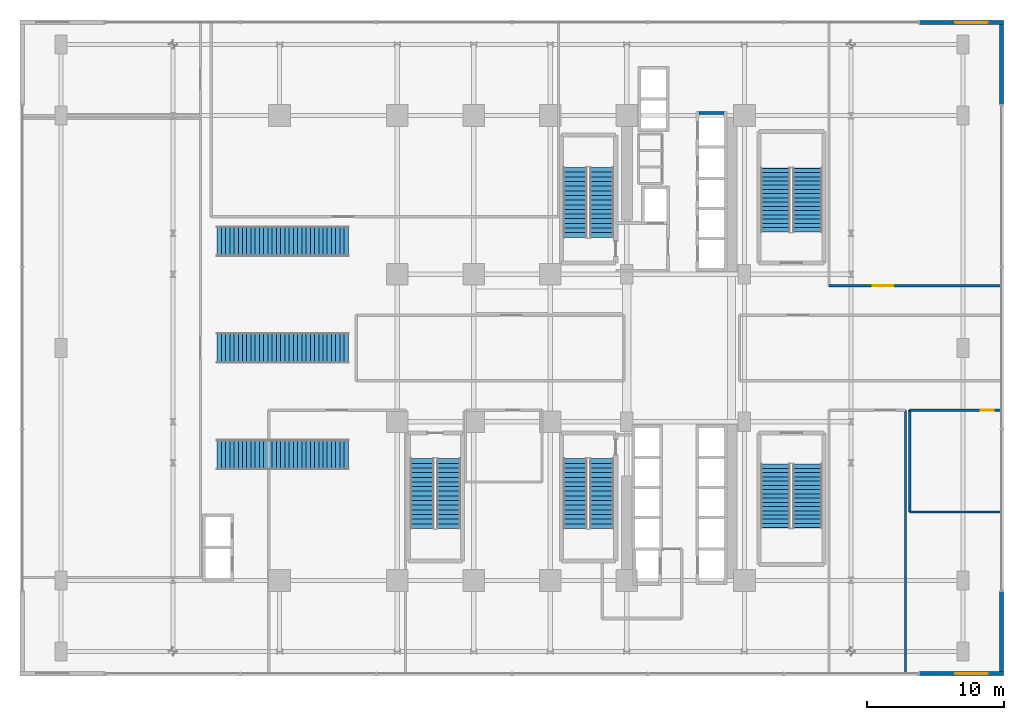
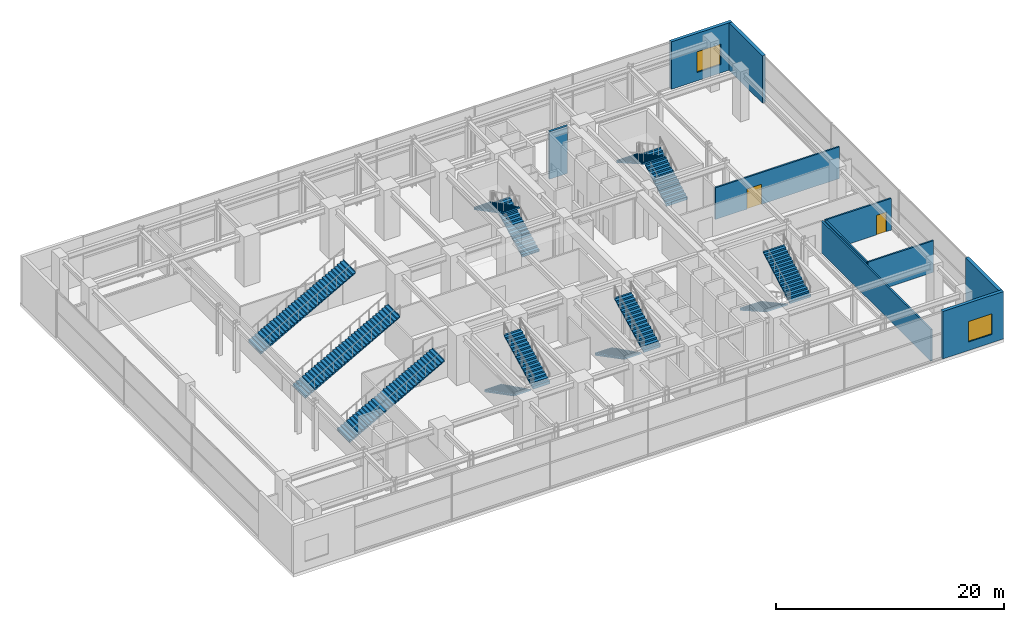
# One storey, part 30 of 34: 13 stair flights, 10 walls, 2 doors, 2 windows, 4 openings, 8 elements without a shape of their own.
"""IFC4 building model written with IfcOpenShell, lengths in metres."""

from ifc_helpers import new_model, si_unit, direction, frame, frame_2d, origin, place, context, subcontext, project, spatial, polyline, rectangle, outline, extrude, source, transform, mapped, material, layer, layer_set, type_object, element, fill, aggregate, save


model = new_model("IFC4")

# Units and contexts
model_context = context("Model", 3, precision=1e-05, world=origin(), true_north=direction((0.0, 1.0)))
body_context = subcontext(model_context, "Body", "Model", "MODEL_VIEW")
ifc_project = project(units=[si_unit("LENGTHUNIT", "METRE"), si_unit("AREAUNIT", "SQUARE_METRE"), si_unit("VOLUMEUNIT", "CUBIC_METRE"), si_unit("PLANEANGLEUNIT", "RADIAN"), si_unit("MASSUNIT", "GRAM", prefix="KILO")], contexts=[model_context])

# Site, building, storey
site_placement = place(None, origin())
site = spatial("IfcSite", under=ifc_project, at=site_placement, CompositionType="ELEMENT")
building_placement = place(site_placement, origin())
building = spatial("IfcBuilding", under=site, at=building_placement, Name="Nahalor Promenade Grand Hotel", CompositionType="ELEMENT")
storey_placement = place(building_placement, frame((0.0, 0.0, 16.199951171875)))
storey = spatial("IfcBuildingStorey", under=building, at=storey_placement, Name="L03", CompositionType="ELEMENT", Elevation=16.199951171875)

# Wall
ifc_material_1 = material(Name="Concrete B-50 (C40/50)", Category="concrete")
ifc_layer_1 = layer(ifc_material_1, 0.219970703125)
ifc_layer_set_1 = layer_set([ifc_layer_1], Name="Concrete B-50 (C40/50)")
wall_type_1 = type_object("IfcWallType", Name="Wall-LiftShaft-220", PredefinedType="SHEAR", material=ifc_layer_set_1)
shared_shape_1 = source(origin(), body_context, "Body", "SweptSolid", [
    extrude(rectangle(XDim=1.820068359375, YDim=0.219970703125, at=frame_2d((0.91015625, 0.0))), origin(), (0.0, 0.0, 1.0), 5.080078125),
])
wall_1_placement = place(storey_placement, frame((13.68994140625, 17.199951171875, 0.0), z_axis=(0.0, 0.0, 1.0), x_axis=(1.0, 0.0, 0.0)))
element("IfcWall", 1, at=wall_1_placement, inside=storey, type_object=wall_type_1, Name="L03 Lift SV1 Hoistway Wall N", PredefinedType="SHEAR", context=body_context, shape_type="MappedRepresentation", body=[
    mapped(shared_shape_1, transform((0.0, 0.0, 0.0), scale=1.0)),
])

# Wall, opening, window
ifc_material_2 = material(Name="Concrete B-40 (C32/40)", Category="concrete")
ifc_layer_2 = layer(ifc_material_2, 0.320068359375)
ifc_layer_set_2 = layer_set([ifc_layer_2], Name="Concrete B-40 (C32/40)")
wall_type_2 = type_object("IfcWallType", Name="Wall-LimestonePier-320", PredefinedType="STANDARD", material=ifc_layer_set_2)
shared_shape_2 = source(origin(), body_context, "Body", "SweptSolid", [
    extrude(rectangle(XDim=6.159912109375, YDim=0.320068359375, at=frame_2d((3.080078125, 0.0))), origin(), (0.0, 0.0, 1.0), 5.080078125),
])
wall_2_placement = place(storey_placement, frame((29.820068359375, -23.820068359375, 0.0), z_axis=(0.0, 0.0, 1.0), x_axis=(1.0, 0.0, 0.0)))
wall_2 = element("IfcWall", 2, at=wall_2_placement, inside=storey, type_object=wall_type_2, Name="W-L03-CRN-SE-X", PredefinedType="STANDARD", context=body_context, shape_type="MappedRepresentation", body=[
    mapped(shared_shape_2, transform((0.0, 0.0, 0.0), scale=1.0)),
])
opening_1_placement = place(wall_2_placement, frame((2.60009765625, 0.0, 0.89990234375)))
opening_1 = element("IfcOpeningElement", 3, at=opening_1_placement, cuts=wall_2, Name="Opening WN-02", PredefinedType="OPENING", context=body_context, shape_type="SweptSolid", body=[
    extrude(rectangle(XDim=2.39990234375, YDim=2.199951171875, at=frame_2d((1.199951171875, 1.10009765625))), frame((0.0, 0.169921875, 0.0), z_axis=(0.0, -1.0, 0.0), x_axis=(1.0, 0.0, 0.0)), (0.0, 0.0, 1.0), 0.340087890625),
])
ifc_material_3 = material(Name="Low-E Laminated Solar Glass", Category="glass")
window_type = type_object("IfcWindowType", Name="Win-PodiumArch-2400x2200", PartitioningType="SINGLE_PANEL", PredefinedType="WINDOW", material=ifc_material_3)
shared_shape_3 = source(origin(), body_context, "Body", "SweptSolid", [
    extrude(rectangle(XDim=2.39990234375, YDim=2.199951171875, at=frame_2d((1.199951171875, 1.10009765625))), frame((0.0, 0.030029296875, 0.0), z_axis=(0.0, -1.0, 0.0), x_axis=(1.0, 0.0, 0.0)), (0.0, 0.0, 1.0), 0.06005859375),
])
window_1_placement = place(opening_1_placement, origin())
window_1 = element("IfcWindow", 4, at=window_1_placement, inside=storey, type_object=window_type, Name="WN-L03-SE-X", OverallHeight=2.199951171875, OverallWidth=2.39990234375, PartitioningType="SINGLE_PANEL", PredefinedType="WINDOW", context=body_context, shape_type="MappedRepresentation", body=[
    mapped(shared_shape_3, transform((0.0, 0.0, 0.0), scale=1.0)),
])
fill(opening_1, window_1)

wall_3_placement = place(storey_placement, frame((29.820068359375, 23.820068359375, 0.0), z_axis=(0.0, 0.0, 1.0), x_axis=(1.0, 0.0, 0.0)))
wall_3 = element("IfcWall", 5, at=wall_3_placement, inside=storey, type_object=wall_type_2, Name="W-L03-CRN-NE-X", PredefinedType="STANDARD", context=body_context, shape_type="MappedRepresentation", body=[
    mapped(shared_shape_2, transform((0.0, 0.0, 0.0), scale=1.0)),
])
opening_2_placement = place(wall_3_placement, frame((2.60009765625, 0.0, 0.89990234375)))
opening_2 = element("IfcOpeningElement", 6, at=opening_2_placement, cuts=wall_3, Name="Opening WN-02", PredefinedType="OPENING", context=body_context, shape_type="SweptSolid", body=[
    extrude(rectangle(XDim=2.39990234375, YDim=2.199951171875, at=frame_2d((1.199951171875, 1.10009765625))), frame((0.0, 0.169921875, 0.0), z_axis=(0.0, -1.0, 0.0), x_axis=(1.0, 0.0, 0.0)), (0.0, 0.0, 1.0), 0.340087890625),
])
window_2_placement = place(opening_2_placement, origin())
window_2 = element("IfcWindow", 7, at=window_2_placement, inside=storey, type_object=window_type, Name="WN-L03-NE-X", OverallHeight=2.199951171875, OverallWidth=2.39990234375, PartitioningType="SINGLE_PANEL", PredefinedType="WINDOW", context=body_context, shape_type="MappedRepresentation", body=[
    mapped(shared_shape_3, transform((0.0, 0.0, 0.0), scale=1.0)),
])
fill(opening_2, window_2)

# Walls
shared_shape_4 = source(origin(), body_context, "Body", "SweptSolid", [
    extrude(rectangle(XDim=5.83984375, YDim=0.320068359375, at=frame_2d((2.919921875, 0.0))), origin(), (0.0, 0.0, 1.0), 5.080078125),
])
for number, where, z_axis, x_axis, name in (
    (8, (35.820068359375, -23.659912109375, 0.0), (0.0, 0.0, 1.0), (0.0, 1.0, 0.0), "W-L03-CRN-SE-Y"),
    (9, (35.820068359375, 17.820068359375, 0.0), (0.0, 0.0, 1.0), (0.0, 1.0, 0.0), "W-L03-CRN-NE-Y"),
):
    element("IfcWall", number, at=place(storey_placement, frame(where, z_axis=z_axis, x_axis=x_axis)), inside=storey, type_object=wall_type_2, Name=name, PredefinedType="STANDARD", context=body_context, shape_type="MappedRepresentation", body=[
        mapped(shared_shape_4, transform((0.0, 0.0, 0.0), scale=1.0)),
    ])
ifc_material_4 = material(Name="Acoustic Mineral Gypsum", Category="gypsum")
ifc_layer_3 = layer(ifc_material_4, 0.159912109375)
ifc_layer_set_3 = layer_set([ifc_layer_3], Name="Acoustic Mineral Gypsum")
wall_type_3 = type_object("IfcWallType", Name="Wall-PartCorridor-160", PredefinedType="PARTITIONING", material=ifc_layer_set_3)
shared_shape_5 = source(origin(), body_context, "Body", "SweptSolid", [
    extrude(rectangle(XDim=19.2099609375, YDim=0.159912109375, at=frame_2d((9.60498046875, 0.0))), origin(), (0.0, 0.0, 1.0), 3.400146484375),
])
wall_4_placement = place(storey_placement, frame((28.800048828125, -23.760009765625, 0.0), z_axis=(0.0, 0.0, 1.0), x_axis=(0.0, 1.0, 0.0)))
element("IfcWall", 10, at=wall_4_placement, inside=storey, type_object=wall_type_3, Name="W-L03-PR08-E", PredefinedType="PARTITIONING", context=body_context, shape_type="MappedRepresentation", body=[
    mapped(shared_shape_5, transform((0.0, 0.0, 0.0), scale=1.0)),
])

# Wall, opening, door
shared_shape_6 = source(origin(), body_context, "Body", "SweptSolid", [
    extrude(rectangle(XDim=12.56005859375, YDim=0.159912109375, at=frame_2d((6.280029296875, 0.0))), origin(), (0.0, 0.0, 1.0), 3.400146484375),
])
wall_5_placement = place(storey_placement, frame((23.199951171875, 4.550048828125, 0.0), z_axis=(0.0, 0.0, 1.0), x_axis=(1.0, 0.0, 0.0)))
wall_5 = element("IfcWall", 11, at=wall_5_placement, inside=storey, type_object=wall_type_3, Name="W-L03-PR04-S", PredefinedType="PARTITIONING", context=body_context, shape_type="MappedRepresentation", body=[
    mapped(shared_shape_6, transform((0.0, 0.0, 0.0), scale=1.0)),
])
opening_3_placement = place(wall_5_placement, frame((3.181884765625, 0.0, 0.0)))
opening_3 = element("IfcOpeningElement", 12, at=opening_3_placement, cuts=wall_5, Name="Opening D-02", PredefinedType="OPENING", context=body_context, shape_type="SweptSolid", body=[
    extrude(rectangle(XDim=1.5, YDim=2.14990234375, at=frame_2d((0.75, 1.074951171875))), frame((0.0, 0.08984375, 0.0), z_axis=(0.0, -1.0, 0.0), x_axis=(1.0, 0.0, 0.0)), (0.0, 0.0, 1.0), 0.179931640625),
])
ifc_material_5 = material(Name="Fire-Rated Timber Composite", Category="wood")
door_type_1 = type_object("IfcDoorType", Name="Door-SuiteDouble-1500", OperationType="DOUBLE_DOOR_SINGLE_SWING", PredefinedType="DOOR", material=ifc_material_5)
shared_shape_7 = source(origin(), body_context, "Body", "SweptSolid", [
    extrude(rectangle(XDim=1.5, YDim=2.14990234375, at=frame_2d((0.75, 1.074951171875))), frame((0.0, 0.02490234375, 0.0), z_axis=(0.0, -1.0, 0.0), x_axis=(1.0, 0.0, 0.0)), (0.0, 0.0, 1.0), 0.050048828125),
])
door_1_placement = place(opening_3_placement, origin())
door_1 = element("IfcDoor", 13, at=door_1_placement, inside=storey, type_object=door_type_1, Name="DR-L03-PR04", OperationType="DOUBLE_DOOR_SINGLE_SWING", OverallHeight=2.14990234375, OverallWidth=1.5, PredefinedType="DOOR", context=body_context, shape_type="MappedRepresentation", body=[
    mapped(shared_shape_7, transform((0.0, 0.0, 0.0), scale=1.0)),
])
fill(opening_3, door_1)

# Wall
shared_shape_8 = source(origin(), body_context, "Body", "SweptSolid", [
    extrude(rectangle(XDim=6.659912109375, YDim=0.159912109375, at=frame_2d((3.330078125, 0.0))), origin(), (0.0, 0.0, 1.0), 3.400146484375),
])
wall_6_placement = place(storey_placement, frame((29.10009765625, -12.0, 0.0), z_axis=(0.0, 0.0, 1.0), x_axis=(1.0, 0.0, 0.0)))
element("IfcWall", 14, at=wall_6_placement, inside=storey, type_object=wall_type_3, Name="W-L03-PR09-S", PredefinedType="PARTITIONING", context=body_context, shape_type="MappedRepresentation", body=[
    mapped(shared_shape_8, transform((0.0, 0.0, 0.0), scale=1.0)),
])

# Wall, opening, door
wall_7_placement = place(storey_placement, frame((29.10009765625, -4.550048828125, 0.0), z_axis=(0.0, 0.0, 1.0), x_axis=(1.0, 0.0, 0.0)))
wall_7 = element("IfcWall", 15, at=wall_7_placement, inside=storey, type_object=wall_type_3, Name="W-L03-PR09-N", PredefinedType="PARTITIONING", context=body_context, shape_type="MappedRepresentation", body=[
    mapped(shared_shape_8, transform((0.0, 0.0, 0.0), scale=1.0)),
])
opening_4_placement = place(wall_7_placement, frame((5.18310546875, 0.0, 0.0)))
opening_4 = element("IfcOpeningElement", 16, at=opening_4_placement, cuts=wall_7, Name="Opening D-05", PredefinedType="OPENING", context=body_context, shape_type="SweptSolid", body=[
    extrude(rectangle(XDim=0.97998046875, YDim=2.10009765625, at=frame_2d((0.489990234375, 1.050048828125))), frame((0.0, 0.08984375, 0.0), z_axis=(0.0, -1.0, 0.0), x_axis=(1.0, 0.0, 0.0)), (0.0, 0.0, 1.0), 0.179931640625),
])
door_type_2 = type_object("IfcDoorType", Name="Door-AccessibleWC-980", OperationType="NOTDEFINED", PredefinedType="DOOR", material=ifc_material_5)
shared_shape_9 = source(origin(), body_context, "Body", "SweptSolid", [
    extrude(rectangle(XDim=0.97998046875, YDim=2.10009765625, at=frame_2d((0.489990234375, 1.050048828125))), frame((0.0, 0.02490234375, 0.0), z_axis=(0.0, -1.0, 0.0), x_axis=(1.0, 0.0, 0.0)), (0.0, 0.0, 1.0), 0.050048828125),
])
door_2_placement = place(opening_4_placement, frame((0.97998046875, 0.0, 0.0), z_axis=(0.0, 0.0, 1.0), x_axis=(-1.0, 0.0, 0.0)))
door_2 = element("IfcDoor", 17, at=door_2_placement, inside=storey, type_object=door_type_2, Name="DR-L03-PR09", OperationType="SINGLE_SWING_LEFT", OverallHeight=2.10009765625, OverallWidth=0.97998046875, PredefinedType="DOOR", context=body_context, shape_type="MappedRepresentation", body=[
    mapped(shared_shape_9, transform((0.0, 0.0, 0.0), scale=1.0)),
])
fill(opening_4, door_2)

# Wall
shared_shape_10 = source(origin(), body_context, "Body", "SweptSolid", [
    extrude(rectangle(XDim=7.449951171875, YDim=0.159912109375, at=frame_2d((3.72509765625, 0.0))), origin(), (0.0, 0.0, 1.0), 3.400146484375),
])
wall_8_placement = place(storey_placement, frame((29.10009765625, -12.0, 0.0), z_axis=(0.0, 0.0, 1.0), x_axis=(0.0, 1.0, 0.0)))
element("IfcWall", 18, at=wall_8_placement, inside=storey, type_object=wall_type_3, Name="W-L03-PR09-W", PredefinedType="PARTITIONING", context=body_context, shape_type="MappedRepresentation", body=[
    mapped(shared_shape_10, transform((0.0, 0.0, 0.0), scale=1.0)),
])

# Stair, stair flights
stair_type_1 = type_object("IfcStairType", Name="Stair-ST1", PredefinedType="HALF_TURN_STAIR", material=ifc_material_1)
stair_1_placement = place(storey_placement, origin())
stair_1 = element("IfcStair", 19, at=stair_1_placement, inside=storey, type_object=stair_type_1, Name="L03 ST1", PredefinedType="HALF_TURN_STAIR")
ifc_layer_4 = layer(ifc_material_1, 0.179931640625)
ifc_layer_set_4 = layer_set([ifc_layer_4], Name="Concrete B-50 (C40/50)")
stair_flight_type_1 = type_object("IfcStairFlightType", Name="Flight-ST1", PredefinedType="STRAIGHT", material=ifc_layer_set_4)
shared_shape_11 = source(origin(), body_context, "Body", "SweptSolid", [
    extrude(outline(polyline([(-0.00390625, -0.1201171875), (-0.00390625, 0.0), (0.0, 0.0), (0.0, 0.168701171875), (0.340087890625, 0.168701171875), (0.340087890625, 0.33740234375), (0.679931640625, 0.33740234375), (0.679931640625, 0.50634765625), (1.02001953125, 0.50634765625), (1.02001953125, 0.675048828125), (1.360107421875, 0.675048828125), (1.360107421875, 0.84375), (1.699951171875, 0.84375), (1.699951171875, 1.012451171875), (2.0400390625, 1.012451171875), (2.0400390625, 1.18115234375), (2.3798828125, 1.18115234375), (2.3798828125, 1.35009765625), (2.719970703125, 1.35009765625), (2.719970703125, 1.518798828125), (3.06005859375, 1.518798828125), (3.06005859375, 1.6875), (3.39990234375, 1.6875), (3.39990234375, 1.856201171875), (3.739990234375, 1.856201171875), (3.739990234375, 2.02490234375), (4.080078125, 2.02490234375), (4.080078125, 2.19384765625), (4.419921875, 2.19384765625), (4.419921875, 2.362548828125), (4.760009765625, 2.362548828125), (4.760009765625, 2.53125), (5.10009765625, 2.53125), (5.10009765625, 2.699951171875), (5.10400390625, 2.699951171875), (5.10400390625, 2.52001953125), (0.02001953125, -0.1201171875), (-0.00390625, -0.1201171875)])), frame((0.0, 0.875, 0.0), z_axis=(0.0, -1.0, 0.0), x_axis=(1.0, 0.0, 0.0)), (0.0, 0.0, 1.0), 1.75),
])
stair_flight_1_placement = place(storey_placement, frame((6.574951171875, 8.10009765625, 0.0), z_axis=(0.0, 0.0, 1.0), x_axis=(0.0, 1.0, 0.0)))
stair_flight_1 = element("IfcStairFlight", 20, at=stair_flight_1_placement, type_object=stair_flight_type_1, Name="ST1 flight 1", NumberOfRisers=16, NumberOfTreads=15, PredefinedType="STRAIGHT", RiserHeight=0.16875, TreadLength=0.34, context=body_context, shape_type="MappedRepresentation", body=[
    mapped(shared_shape_11, transform((0.0, 0.0, 0.0), scale=1.0)),
])
stair_flight_2_placement = place(storey_placement, frame((4.625, 13.199951171875, 2.699951171875), z_axis=(0.0, 0.0, 1.0), x_axis=(0.0, -1.0, 0.0)))
stair_flight_2 = element("IfcStairFlight", 21, at=stair_flight_2_placement, type_object=stair_flight_type_1, Name="ST1 flight 2", NumberOfRisers=16, NumberOfTreads=15, PredefinedType="STRAIGHT", RiserHeight=0.16875, TreadLength=0.34, context=body_context, shape_type="MappedRepresentation", body=[
    mapped(shared_shape_11, transform((0.0, 0.0, 0.0), scale=1.0)),
])
aggregate(stair_1, [stair_flight_1, stair_flight_2])

stair_type_2 = type_object("IfcStairType", Name="Stair-ST2", PredefinedType="HALF_TURN_STAIR", material=ifc_material_1)
stair_2_placement = place(storey_placement, origin())
stair_2 = element("IfcStair", 22, at=stair_2_placement, inside=storey, type_object=stair_type_2, Name="L03 ST2", PredefinedType="HALF_TURN_STAIR")
ifc_layer_5 = layer(ifc_material_1, 0.18994140625)
ifc_layer_set_5 = layer_set([ifc_layer_5], Name="Concrete B-50 (C40/50)")
stair_flight_type_2 = type_object("IfcStairFlightType", Name="Flight-ST2", PredefinedType="STRAIGHT", material=ifc_layer_set_5)
shared_shape_12 = source(origin(), body_context, "Body", "SweptSolid", [
    extrude(outline(polyline([(-0.00390625, -0.1201171875), (-0.00390625, 0.0), (0.0, 0.0), (0.0, 0.168701171875), (0.340087890625, 0.168701171875), (0.340087890625, 0.33740234375), (0.679931640625, 0.33740234375), (0.679931640625, 0.50634765625), (1.02001953125, 0.50634765625), (1.02001953125, 0.675048828125), (1.360107421875, 0.675048828125), (1.360107421875, 0.84375), (1.699951171875, 0.84375), (1.699951171875, 1.012451171875), (2.0400390625, 1.012451171875), (2.0400390625, 1.18115234375), (2.3798828125, 1.18115234375), (2.3798828125, 1.35009765625), (2.719970703125, 1.35009765625), (2.719970703125, 1.518798828125), (3.06005859375, 1.518798828125), (3.06005859375, 1.6875), (3.39990234375, 1.6875), (3.39990234375, 1.856201171875), (3.739990234375, 1.856201171875), (3.739990234375, 2.02490234375), (4.080078125, 2.02490234375), (4.080078125, 2.19384765625), (4.419921875, 2.19384765625), (4.419921875, 2.362548828125), (4.760009765625, 2.362548828125), (4.760009765625, 2.53125), (5.10009765625, 2.53125), (5.10009765625, 2.699951171875), (5.10400390625, 2.699951171875), (5.10400390625, 2.52001953125), (0.02001953125, -0.1201171875), (-0.00390625, -0.1201171875)])), frame((0.0, 0.875, 0.0), z_axis=(0.0, -1.0, 0.0), x_axis=(1.0, 0.0, 0.0)), (0.0, 0.0, 1.0), 1.75),
])
stair_flight_3_placement = place(storey_placement, frame((4.625, -8.10009765625, 0.0), z_axis=(0.0, 0.0, 1.0), x_axis=(0.0, -1.0, 0.0)))
stair_flight_3 = element("IfcStairFlight", 23, at=stair_flight_3_placement, type_object=stair_flight_type_2, Name="ST2 flight 1", NumberOfRisers=16, NumberOfTreads=15, PredefinedType="STRAIGHT", RiserHeight=0.16875, TreadLength=0.34, context=body_context, shape_type="MappedRepresentation", body=[
    mapped(shared_shape_12, transform((0.0, 0.0, 0.0), scale=1.0)),
])
stair_flight_4_placement = place(storey_placement, frame((6.574951171875, -13.199951171875, 2.699951171875), z_axis=(0.0, 0.0, 1.0), x_axis=(0.0, 1.0, 0.0)))
stair_flight_4 = element("IfcStairFlight", 24, at=stair_flight_4_placement, type_object=stair_flight_type_2, Name="ST2 flight 2", NumberOfRisers=16, NumberOfTreads=15, PredefinedType="STRAIGHT", RiserHeight=0.16875, TreadLength=0.34, context=body_context, shape_type="MappedRepresentation", body=[
    mapped(shared_shape_12, transform((0.0, 0.0, 0.0), scale=1.0)),
])
aggregate(stair_2, [stair_flight_3, stair_flight_4])

stair_type_3 = type_object("IfcStairType", Name="Stair-ST3", PredefinedType="HALF_TURN_STAIR", material=ifc_material_1)
stair_3_placement = place(storey_placement, origin())
stair_3 = element("IfcStair", 25, at=stair_3_placement, inside=storey, type_object=stair_type_3, Name="L03 ST3", PredefinedType="HALF_TURN_STAIR")
ifc_layer_6 = layer(ifc_material_1, 0.199951171875)
ifc_layer_set_6 = layer_set([ifc_layer_6], Name="Concrete B-50 (C40/50)")
stair_flight_type_3 = type_object("IfcStairFlightType", Name="Flight-ST3", PredefinedType="STRAIGHT", material=ifc_layer_set_6)
shared_shape_13 = source(origin(), body_context, "Body", "SweptSolid", [
    extrude(outline(polyline([(-0.00390625, -0.1201171875), (-0.00390625, 0.0), (0.0, 0.0), (0.0, 0.168701171875), (0.340087890625, 0.168701171875), (0.340087890625, 0.33740234375), (0.679931640625, 0.33740234375), (0.679931640625, 0.50634765625), (1.02001953125, 0.50634765625), (1.02001953125, 0.675048828125), (1.360107421875, 0.675048828125), (1.360107421875, 0.84375), (1.699951171875, 0.84375), (1.699951171875, 1.012451171875), (2.0400390625, 1.012451171875), (2.0400390625, 1.18115234375), (2.3798828125, 1.18115234375), (2.3798828125, 1.35009765625), (2.719970703125, 1.35009765625), (2.719970703125, 1.518798828125), (3.06005859375, 1.518798828125), (3.06005859375, 1.6875), (3.39990234375, 1.6875), (3.39990234375, 1.856201171875), (3.739990234375, 1.856201171875), (3.739990234375, 2.02490234375), (4.080078125, 2.02490234375), (4.080078125, 2.19384765625), (4.419921875, 2.19384765625), (4.419921875, 2.362548828125), (4.760009765625, 2.362548828125), (4.760009765625, 2.53125), (5.10009765625, 2.53125), (5.10009765625, 2.699951171875), (5.10400390625, 2.699951171875), (5.10400390625, 2.52001953125), (0.02001953125, -0.1201171875), (-0.00390625, -0.1201171875)])), frame((0.0, 0.875, 0.0), z_axis=(0.0, -1.0, 0.0), x_axis=(1.0, 0.0, 0.0)), (0.0, 0.0, 1.0), 1.75),
])
stair_flight_5_placement = place(storey_placement, frame((-6.574951171875, -8.10009765625, 0.0), z_axis=(0.0, 0.0, 1.0), x_axis=(0.0, -1.0, 0.0)))
stair_flight_5 = element("IfcStairFlight", 26, at=stair_flight_5_placement, type_object=stair_flight_type_3, Name="ST3 flight 1", NumberOfRisers=16, NumberOfTreads=15, PredefinedType="STRAIGHT", RiserHeight=0.16875, TreadLength=0.34, context=body_context, shape_type="MappedRepresentation", body=[
    mapped(shared_shape_13, transform((0.0, 0.0, 0.0), scale=1.0)),
])
stair_flight_6_placement = place(storey_placement, frame((-4.625, -13.199951171875, 2.699951171875), z_axis=(0.0, 0.0, 1.0), x_axis=(0.0, 1.0, 0.0)))
stair_flight_6 = element("IfcStairFlight", 27, at=stair_flight_6_placement, type_object=stair_flight_type_3, Name="ST3 flight 2", NumberOfRisers=16, NumberOfTreads=15, PredefinedType="STRAIGHT", RiserHeight=0.16875, TreadLength=0.34, context=body_context, shape_type="MappedRepresentation", body=[
    mapped(shared_shape_13, transform((0.0, 0.0, 0.0), scale=1.0)),
])
aggregate(stair_3, [stair_flight_5, stair_flight_6])

stair_type_4 = type_object("IfcStairType", Name="Stair-ST4", PredefinedType="HALF_TURN_STAIR", material=ifc_material_1)
stair_4_placement = place(storey_placement, origin())
stair_4 = element("IfcStair", 28, at=stair_4_placement, inside=storey, type_object=stair_type_4, Name="L03 ST4", PredefinedType="HALF_TURN_STAIR")
ifc_layer_7 = layer(ifc_material_1, 0.2099609375)
ifc_layer_set_7 = layer_set([ifc_layer_7], Name="Concrete B-50 (C40/50)")
stair_flight_type_4 = type_object("IfcStairFlightType", Name="Flight-ST4", PredefinedType="STRAIGHT", material=ifc_layer_set_7)
shared_shape_14 = source(origin(), body_context, "Body", "SweptSolid", [
    extrude(outline(polyline([(-0.00390625, -0.1201171875), (-0.00390625, 0.0), (0.0, 0.0), (0.0, 0.168701171875), (0.31005859375, 0.168701171875), (0.31005859375, 0.33740234375), (0.6201171875, 0.33740234375), (0.6201171875, 0.50634765625), (0.929931640625, 0.50634765625), (0.929931640625, 0.675048828125), (1.239990234375, 0.675048828125), (1.239990234375, 0.84375), (1.550048828125, 0.84375), (1.550048828125, 1.012451171875), (1.860107421875, 1.012451171875), (1.860107421875, 1.18115234375), (2.169921875, 1.18115234375), (2.169921875, 1.35009765625), (2.47998046875, 1.35009765625), (2.47998046875, 1.518798828125), (2.7900390625, 1.518798828125), (2.7900390625, 1.6875), (3.10009765625, 1.6875), (3.10009765625, 1.856201171875), (3.409912109375, 1.856201171875), (3.409912109375, 2.02490234375), (3.719970703125, 2.02490234375), (3.719970703125, 2.19384765625), (4.030029296875, 2.19384765625), (4.030029296875, 2.362548828125), (4.340087890625, 2.362548828125), (4.340087890625, 2.53125), (4.64990234375, 2.53125), (4.64990234375, 2.699951171875), (4.654052734375, 2.699951171875), (4.654052734375, 2.52001953125), (0.02001953125, -0.1201171875), (-0.00390625, -0.1201171875)])), frame((0.0, 1.074951171875, 0.0), z_axis=(0.0, -1.0, 0.0), x_axis=(1.0, 0.0, 0.0)), (0.0, 0.0, 1.0), 2.14990234375),
])
stair_flight_7_placement = place(storey_placement, frame((21.625, 8.5, 0.0), z_axis=(0.0, 0.0, 1.0), x_axis=(0.0, 1.0, 0.0)))
stair_flight_7 = element("IfcStairFlight", 29, at=stair_flight_7_placement, type_object=stair_flight_type_4, Name="ST4 flight 1", NumberOfRisers=16, NumberOfTreads=15, PredefinedType="STRAIGHT", RiserHeight=0.16875, TreadLength=0.31, context=body_context, shape_type="MappedRepresentation", body=[
    mapped(shared_shape_14, transform((0.0, 0.0, 0.0), scale=1.0)),
])
stair_flight_8_placement = place(storey_placement, frame((19.27490234375, 13.14990234375, 2.699951171875), z_axis=(0.0, 0.0, 1.0), x_axis=(0.0, -1.0, 0.0)))
stair_flight_8 = element("IfcStairFlight", 30, at=stair_flight_8_placement, type_object=stair_flight_type_4, Name="ST4 flight 2", NumberOfRisers=16, NumberOfTreads=15, PredefinedType="STRAIGHT", RiserHeight=0.16875, TreadLength=0.31, context=body_context, shape_type="MappedRepresentation", body=[
    mapped(shared_shape_14, transform((0.0, 0.0, 0.0), scale=1.0)),
])
aggregate(stair_4, [stair_flight_7, stair_flight_8])

stair_type_5 = type_object("IfcStairType", Name="Stair-ST5", PredefinedType="HALF_TURN_STAIR", material=ifc_material_1)
stair_5_placement = place(storey_placement, origin())
stair_5 = element("IfcStair", 31, at=stair_5_placement, inside=storey, type_object=stair_type_5, Name="L03 ST5", PredefinedType="HALF_TURN_STAIR")
ifc_layer_8 = layer(ifc_material_1, 0.219970703125)
ifc_layer_set_8 = layer_set([ifc_layer_8], Name="Concrete B-50 (C40/50)")
stair_flight_type_5 = type_object("IfcStairFlightType", Name="Flight-ST5", PredefinedType="STRAIGHT", material=ifc_layer_set_8)
shared_shape_15 = source(origin(), body_context, "Body", "SweptSolid", [
    extrude(outline(polyline([(-0.00390625, -0.1201171875), (-0.00390625, 0.0), (0.0, 0.0), (0.0, 0.168701171875), (0.31005859375, 0.168701171875), (0.31005859375, 0.33740234375), (0.6201171875, 0.33740234375), (0.6201171875, 0.50634765625), (0.929931640625, 0.50634765625), (0.929931640625, 0.675048828125), (1.239990234375, 0.675048828125), (1.239990234375, 0.84375), (1.550048828125, 0.84375), (1.550048828125, 1.012451171875), (1.860107421875, 1.012451171875), (1.860107421875, 1.18115234375), (2.169921875, 1.18115234375), (2.169921875, 1.35009765625), (2.47998046875, 1.35009765625), (2.47998046875, 1.518798828125), (2.7900390625, 1.518798828125), (2.7900390625, 1.6875), (3.10009765625, 1.6875), (3.10009765625, 1.856201171875), (3.409912109375, 1.856201171875), (3.409912109375, 2.02490234375), (3.719970703125, 2.02490234375), (3.719970703125, 2.19384765625), (4.030029296875, 2.19384765625), (4.030029296875, 2.362548828125), (4.340087890625, 2.362548828125), (4.340087890625, 2.53125), (4.64990234375, 2.53125), (4.64990234375, 2.699951171875), (4.654052734375, 2.699951171875), (4.654052734375, 2.52001953125), (0.02001953125, -0.1201171875), (-0.00390625, -0.1201171875)])), frame((0.0, 1.074951171875, 0.0), z_axis=(0.0, -1.0, 0.0), x_axis=(1.0, 0.0, 0.0)), (0.0, 0.0, 1.0), 2.14990234375),
])
stair_flight_9_placement = place(storey_placement, frame((19.27490234375, -8.5, 0.0), z_axis=(0.0, 0.0, 1.0), x_axis=(0.0, -1.0, 0.0)))
stair_flight_9 = element("IfcStairFlight", 32, at=stair_flight_9_placement, type_object=stair_flight_type_5, Name="ST5 flight 1", NumberOfRisers=16, NumberOfTreads=15, PredefinedType="STRAIGHT", RiserHeight=0.16875, TreadLength=0.31, context=body_context, shape_type="MappedRepresentation", body=[
    mapped(shared_shape_15, transform((0.0, 0.0, 0.0), scale=1.0)),
])
stair_flight_10_placement = place(storey_placement, frame((21.625, -13.14990234375, 2.699951171875), z_axis=(0.0, 0.0, 1.0), x_axis=(0.0, 1.0, 0.0)))
stair_flight_10 = element("IfcStairFlight", 33, at=stair_flight_10_placement, type_object=stair_flight_type_5, Name="ST5 flight 2", NumberOfRisers=16, NumberOfTreads=15, PredefinedType="STRAIGHT", RiserHeight=0.16875, TreadLength=0.31, context=body_context, shape_type="MappedRepresentation", body=[
    mapped(shared_shape_15, transform((0.0, 0.0, 0.0), scale=1.0)),
])
aggregate(stair_5, [stair_flight_9, stair_flight_10])

# Stair, stair flight
stair_type_6 = type_object("IfcStairType", Name="Stair-Monumental-2200", PredefinedType="STRAIGHT_RUN_STAIR", material=ifc_material_1)
stair_6_placement = place(storey_placement, origin())
stair_6 = element("IfcStair", 34, at=stair_6_placement, inside=storey, type_object=stair_type_6, Name="L03 Monumental Feature Stair STM3", PredefinedType="STRAIGHT_RUN_STAIR")
ifc_layer_9 = layer(ifc_material_1, 0.239990234375)
ifc_layer_set_9 = layer_set([ifc_layer_9], Name="Concrete B-50 (C40/50)")
stair_flight_type_6 = type_object("IfcStairFlightType", Name="Flight-Monumental-2200", PredefinedType="STRAIGHT", material=ifc_layer_set_9)
shared_shape_16 = source(origin(), body_context, "Body", "SweptSolid", [
    extrude(outline(polyline([(-0.00390625, -0.1201171875), (-0.00390625, 0.0), (0.0, 0.0), (0.0, 0.168701171875), (0.31005859375, 0.168701171875), (0.31005859375, 0.33740234375), (0.6201171875, 0.33740234375), (0.6201171875, 0.50634765625), (0.929931640625, 0.50634765625), (0.929931640625, 0.675048828125), (1.239990234375, 0.675048828125), (1.239990234375, 0.84375), (1.550048828125, 0.84375), (1.550048828125, 1.012451171875), (1.860107421875, 1.012451171875), (1.860107421875, 1.18115234375), (2.169921875, 1.18115234375), (2.169921875, 1.35009765625), (2.47998046875, 1.35009765625), (2.47998046875, 1.518798828125), (2.7900390625, 1.518798828125), (2.7900390625, 1.6875), (3.10009765625, 1.6875), (3.10009765625, 1.856201171875), (3.409912109375, 1.856201171875), (3.409912109375, 2.02490234375), (3.719970703125, 2.02490234375), (3.719970703125, 2.19384765625), (4.030029296875, 2.19384765625), (4.030029296875, 2.362548828125), (4.340087890625, 2.362548828125), (4.340087890625, 2.53125), (4.64990234375, 2.53125), (4.64990234375, 2.699951171875), (4.9599609375, 2.699951171875), (4.9599609375, 2.86865234375), (5.27001953125, 2.86865234375), (5.27001953125, 3.03759765625), (5.580078125, 3.03759765625), (5.580078125, 3.206298828125), (5.889892578125, 3.206298828125), (5.889892578125, 3.375), (6.199951171875, 3.375), (6.199951171875, 3.543701171875), (6.510009765625, 3.543701171875), (6.510009765625, 3.71240234375), (6.820068359375, 3.71240234375), (6.820068359375, 3.88134765625), (7.1298828125, 3.88134765625), (7.1298828125, 4.050048828125), (7.43994140625, 4.050048828125), (7.43994140625, 4.21875), (7.75, 4.21875), (7.75, 4.387451171875), (8.06005859375, 4.387451171875), (8.06005859375, 4.55615234375), (8.3701171875, 4.55615234375), (8.3701171875, 4.72509765625), (8.679931640625, 4.72509765625), (8.679931640625, 4.893798828125), (8.989990234375, 4.893798828125), (8.989990234375, 5.0625), (9.300048828125, 5.0625), (9.300048828125, 5.231201171875), (9.610107421875, 5.231201171875), (9.610107421875, 5.39990234375), (9.614013671875, 5.39990234375), (9.614013671875, 5.219970703125), (0.02001953125, -0.1201171875), (-0.00390625, -0.1201171875)])), frame((0.0, 1.10009765625, 0.0), z_axis=(0.0, -1.0, 0.0), x_axis=(1.0, 0.0, 0.0)), (0.0, 0.0, 1.0), 2.199951171875),
])
stair_flight_11_placement = place(storey_placement, frame((-21.580078125, -7.800048828125, 0.0), z_axis=(0.0, 0.0, 1.0), x_axis=(1.0, 0.0, 0.0)))
stair_flight_11 = element("IfcStairFlight", 35, at=stair_flight_11_placement, type_object=stair_flight_type_6, Name="ST-M1 flight 1", NumberOfRisers=32, NumberOfTreads=31, PredefinedType="STRAIGHT", RiserHeight=0.16875, TreadLength=0.31, context=body_context, shape_type="MappedRepresentation", body=[
    mapped(shared_shape_16, transform((0.0, 0.0, 0.0), scale=1.0)),
])
aggregate(stair_6, [stair_flight_11])

stair_7_placement = place(storey_placement, origin())
stair_7 = element("IfcStair", 36, at=stair_7_placement, inside=storey, type_object=stair_type_6, Name="L03 Monumental Feature Stair STM4", PredefinedType="STRAIGHT_RUN_STAIR")
stair_flight_12_placement = place(storey_placement, frame((-21.580078125, 7.800048828125, 0.0), z_axis=(0.0, 0.0, 1.0), x_axis=(1.0, 0.0, 0.0)))
stair_flight_12 = element("IfcStairFlight", 37, at=stair_flight_12_placement, type_object=stair_flight_type_6, Name="ST-M1 flight 1", NumberOfRisers=32, NumberOfTreads=31, PredefinedType="STRAIGHT", RiserHeight=0.16875, TreadLength=0.31, context=body_context, shape_type="MappedRepresentation", body=[
    mapped(shared_shape_16, transform((0.0, 0.0, 0.0), scale=1.0)),
])
aggregate(stair_7, [stair_flight_12])

stair_8_placement = place(storey_placement, origin())
stair_8 = element("IfcStair", 38, at=stair_8_placement, inside=storey, type_object=stair_type_6, Name="L03 Monumental Feature Stair STM5", PredefinedType="STRAIGHT_RUN_STAIR")
stair_flight_13_placement = place(storey_placement, frame((-21.580078125, 0.0, 0.0), z_axis=(0.0, 0.0, 1.0), x_axis=(1.0, 0.0, 0.0)))
stair_flight_13 = element("IfcStairFlight", 39, at=stair_flight_13_placement, type_object=stair_flight_type_6, Name="ST-M1 flight 1", NumberOfRisers=32, NumberOfTreads=31, PredefinedType="STRAIGHT", RiserHeight=0.16875, TreadLength=0.31, context=body_context, shape_type="MappedRepresentation", body=[
    mapped(shared_shape_16, transform((0.0, 0.0, 0.0), scale=1.0)),
])
aggregate(stair_8, [stair_flight_13])

save(model, "model.ifc")
